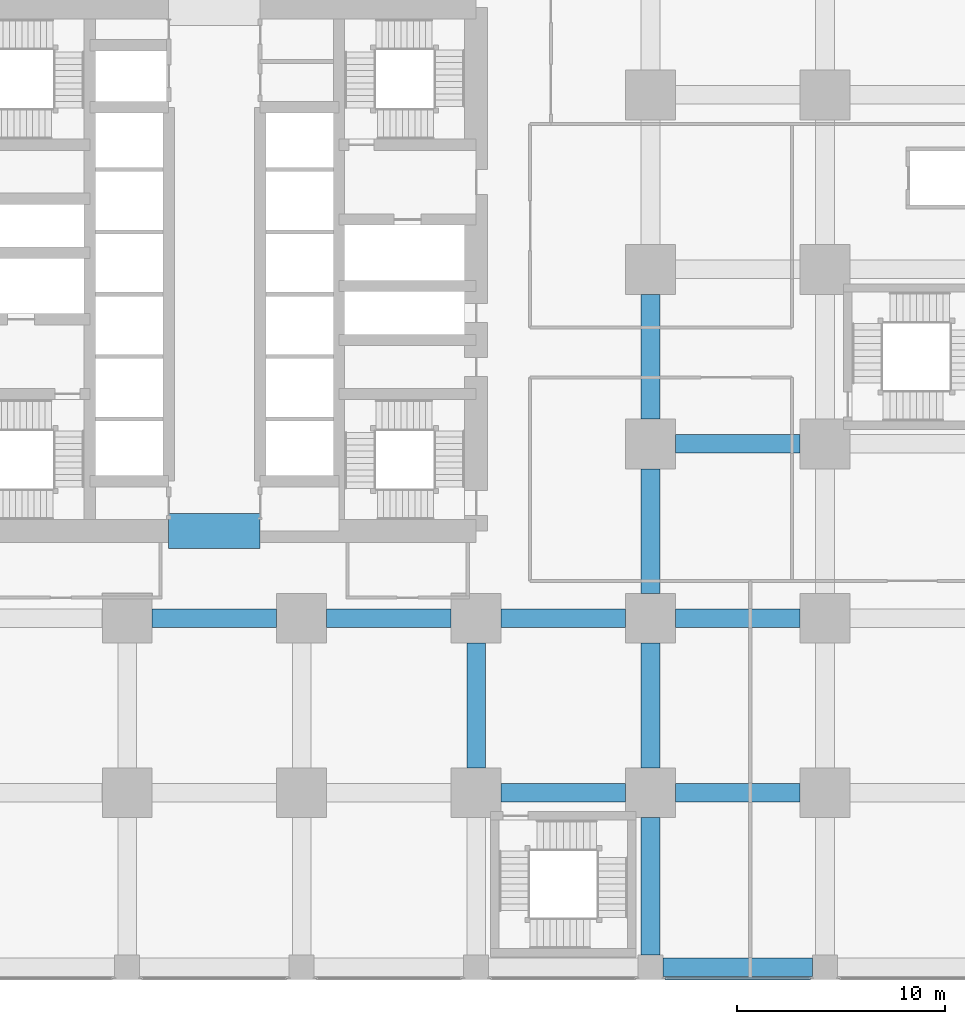
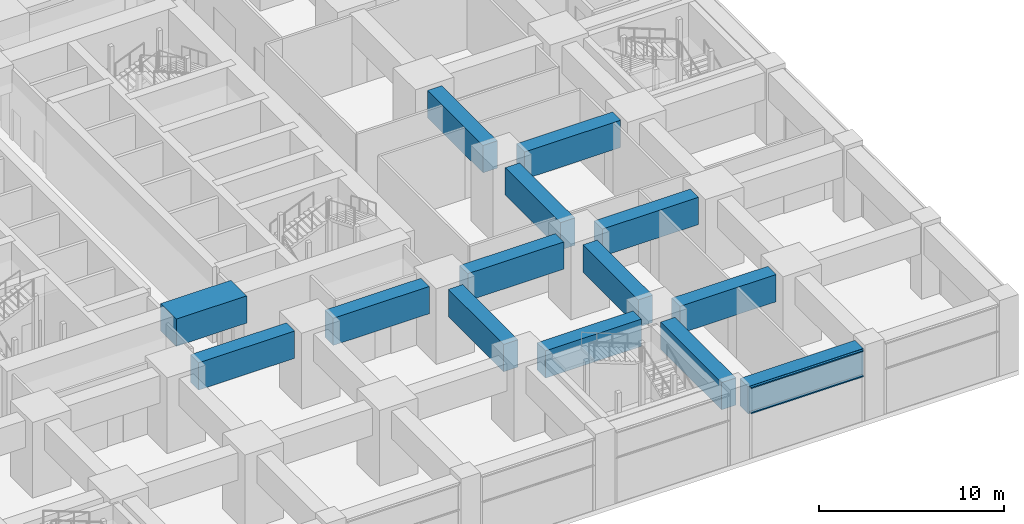
# One storey, part 16 of 49: 14 beams, 2 members, 1 element without a shape of its own.
"""IFC4 building model written with IfcOpenShell, lengths in metres."""

from ifc_helpers import new_model, si_unit, direction, frame, origin, origin_2d, place, context, subcontext, project, spatial, rectangle, hollow_rectangle, extrude, material, material_profile, profile_set, type_object, element, aggregate, save


model = new_model("IFC4")

# Units and contexts
model_context = context("Model", 3, precision=1e-05, world=origin(), true_north=direction((0.0, 1.0)))
body_context = subcontext(model_context, "Body", "Model", "MODEL_VIEW")
ifc_project = project(units=[si_unit("LENGTHUNIT", "METRE"), si_unit("AREAUNIT", "SQUARE_METRE"), si_unit("VOLUMEUNIT", "CUBIC_METRE"), si_unit("PLANEANGLEUNIT", "RADIAN"), si_unit("MASSUNIT", "GRAM", prefix="KILO")], contexts=[model_context])

# Site, building, storey
site_placement = place(None, origin())
site = spatial("IfcSite", under=ifc_project, at=site_placement, CompositionType="ELEMENT")
building_placement = place(site_placement, origin())
building = spatial("IfcBuilding", under=site, at=building_placement, Name="Rekha Terrace Tower", CompositionType="ELEMENT")
storey_placement = place(building_placement, frame((0.0, 0.0, 10.39990234375)))
storey = spatial("IfcBuildingStorey", under=building, at=storey_placement, Name="L02", CompositionType="ELEMENT", Elevation=10.39990234375)

# Curtain wall, members
ifc_material_1 = material(Name="Aluminium framing", Category="aluminium")
curtain_wall_type = type_object("IfcCurtainWallType", Name="CW4 podium shopfront glazing", PredefinedType="USERDEFINED", material=ifc_material_1)
curtain_wall_placement = place(storey_placement, origin())
curtain_wall = element("IfcCurtainWall", 1, at=curtain_wall_placement, inside=storey, type_object=curtain_wall_type, Name="CW4 shopfront curtain wall", ObjectType="SHOPFRONT CURTAIN WALL", PredefinedType="USERDEFINED")
ifc_material_2 = material(Name="Aluminium transom section", Category="aluminium")
ifc_material_profile_1 = material_profile(ifc_material_2, hollow_rectangle(XDim=0.14990234375, YDim=0.074951171875, WallThickness=0.0029296875, at=origin_2d()), Name="AL RHS 150x75")
ifc_profile_set_1 = profile_set([ifc_material_profile_1], Name="Aluminium transom section")
member_type = type_object("IfcMemberType", Name="CW4 transom RHS 75 x 150", PredefinedType="USERDEFINED", material=ifc_profile_set_1)
member_1_placement = place(storey_placement, frame((59.4951171875, -0.5400390625, 3.0), z_axis=(1.0, 0.0, 0.0), x_axis=(0.0, 1.0, 0.0)))
member_1 = element("IfcMember", 2, at=member_1_placement, type_object=member_type, Name="CW4 transom 1.2", ObjectType="TRANSOM", PredefinedType="USERDEFINED", context=body_context, shape_type="SweptSolid", body=[
    extrude(hollow_rectangle(XDim=0.14990234375, YDim=0.074951171875, WallThickness=0.0029296875, at=origin_2d()), origin(), (0.0, 0.0, 1.0), 7.009765625),
])
member_2_placement = place(storey_placement, frame((59.4951171875, -0.5400390625, 4.66259765625), z_axis=(1.0, 0.0, 0.0), x_axis=(0.0, 1.0, 0.0)))
member_2 = element("IfcMember", 3, at=member_2_placement, type_object=member_type, Name="CW4 transom 1.3", ObjectType="TRANSOM", PredefinedType="USERDEFINED", context=body_context, shape_type="SweptSolid", body=[
    extrude(hollow_rectangle(XDim=0.14990234375, YDim=0.074951171875, WallThickness=0.0029296875, at=origin_2d()), origin(), (0.0, 0.0, 1.0), 7.009765625),
])
aggregate(curtain_wall, [member_1, member_2])

# Beams
ifc_material_3 = material(Name="Concrete M60", Category="concrete")
ifc_material_profile_2 = material_profile(ifc_material_3, rectangle(XDim=0.89990234375, YDim=1.800048828125, at=origin_2d()), Name="RC 900x1800")
ifc_profile_set_2 = profile_set([ifc_material_profile_2], Name="Concrete M60")
beam_type_1 = type_object("IfcBeamType", Name="G1 900x1800 podium floor beam", PredefinedType="BEAM", material=ifc_profile_set_2)
for number, where, z_axis, x_axis, name in (
    (4, (34.800048828125, 16.800048828125, 3.800048828125), (1.0, 0.0, 0.0), (0.0, 1.0, 0.0), "Beam G1 5C-6C under L03"),
    (5, (43.199951171875, 16.800048828125, 3.800048828125), (1.0, 0.0, 0.0), (0.0, 1.0, 0.0), "Beam G1 6C-7C under L03"),
    (6, (51.60009765625, 8.39990234375, 3.800048828125), (1.0, 0.0, 0.0), (0.0, 1.0, 0.0), "Beam G1 7B-8B under L03"),
    (7, (50.39990234375, 9.60009765625, 3.800048828125), (0.0, 1.0, 0.0), (-1.0, 0.0, 0.0), "Beam G1 7B-7C under L03"),
    (8, (51.60009765625, 16.800048828125, 3.800048828125), (1.0, 0.0, 0.0), (0.0, 1.0, 0.0), "Beam G1 7C-8C under L03"),
):
    element("IfcBeam", number, at=place(storey_placement, frame(where, z_axis=z_axis, x_axis=x_axis)), inside=storey, type_object=beam_type_1, Name=name, PredefinedType="BEAM", context=body_context, shape_type="SweptSolid", body=[
        extrude(rectangle(XDim=0.89990234375, YDim=1.800048828125, at=origin_2d()), origin(), (0.0, 0.0, 1.0), 6.0),
    ])
beam_1_placement = place(storey_placement, frame((59.39990234375, 0.0, 3.800048828125), z_axis=(1.0, 0.0, 0.0), x_axis=(0.0, 1.0, 0.0)))
element("IfcBeam", 9, at=beam_1_placement, inside=storey, type_object=beam_type_1, Name="Beam G1 8A-9A under L03", PredefinedType="BEAM", context=body_context, shape_type="SweptSolid", body=[
    extrude(rectangle(XDim=0.89990234375, YDim=1.800048828125, at=origin_2d()), origin(), (0.0, 0.0, 1.0), 7.2001953125),
])
beam_2_placement = place(storey_placement, frame((58.800048828125, 0.60009765625, 3.800048828125), z_axis=(0.0, 1.0, 0.0), x_axis=(-1.0, 0.0, 0.0)))
element("IfcBeam", 10, at=beam_2_placement, inside=storey, type_object=beam_type_1, Name="Beam G1 8A-8B under L03", PredefinedType="BEAM", context=body_context, shape_type="SweptSolid", body=[
    extrude(rectangle(XDim=0.89990234375, YDim=1.800048828125, at=origin_2d()), origin(), (0.0, 0.0, 1.0), 6.599853515625),
])
for number, where, z_axis, x_axis, name in (
    (11, (60.0, 8.39990234375, 3.800048828125), (1.0, 0.0, 0.0), (0.0, 1.0, 0.0), "Beam G1 8B-9B under L03"),
    (12, (58.800048828125, 9.60009765625, 3.800048828125), (0.0, 1.0, 0.0), (-1.0, 0.0, 0.0), "Beam G1 8B-8C under L03"),
    (13, (60.0, 16.800048828125, 3.800048828125), (1.0, 0.0, 0.0), (0.0, 1.0, 0.0), "Beam G1 8C-9C under L03"),
    (14, (58.800048828125, 18.0, 3.800048828125), (0.0, 1.0, 0.0), (-1.0, 0.0, 0.0), "Beam G1 8C-8D under L03"),
    (15, (60.0, 25.199951171875, 3.800048828125), (1.0, 0.0, 0.0), (0.0, 1.0, 0.0), "Beam G1 8D-9D under L03"),
    (16, (58.800048828125, 26.39990234375, 3.800048828125), (0.0, 1.0, 0.0), (-1.0, 0.0, 0.0), "Beam G1 8D-8E under L03"),
):
    element("IfcBeam", number, at=place(storey_placement, frame(where, z_axis=z_axis, x_axis=x_axis)), inside=storey, type_object=beam_type_1, Name=name, PredefinedType="BEAM", context=body_context, shape_type="SweptSolid", body=[
        extrude(rectangle(XDim=0.89990234375, YDim=1.800048828125, at=origin_2d()), origin(), (0.0, 0.0, 1.0), 6.0),
    ])
ifc_material_4 = material(Name="Concrete M70", Category="concrete")
ifc_material_profile_3 = material_profile(ifc_material_4, rectangle(XDim=1.699951171875, YDim=1.800048828125, at=origin_2d()), Name="RC 1700x1800")
ifc_profile_set_3 = profile_set([ifc_material_profile_3], Name="Concrete M70")
beam_type_2 = type_object("IfcBeamType", Name="LB1B 1700x1800 diagonally reinforced coupling beam", PredefinedType="LINTEL", material=ifc_profile_set_3)
beam_3_placement = place(storey_placement, frame((35.60009765625, 21.0, 4.10009765625), z_axis=(1.0, 0.0, 0.0), x_axis=(0.0, 1.0, 0.0)))
element("IfcBeam", 17, at=beam_3_placement, inside=storey, type_object=beam_type_2, Name="Coupling beam LB1B S L02", PredefinedType="LINTEL", context=body_context, shape_type="SweptSolid", body=[
    extrude(rectangle(XDim=1.699951171875, YDim=1.800048828125, at=origin_2d()), origin(), (0.0, 0.0, 1.0), 4.39990234375),
])

save(model, "model.ifc")
